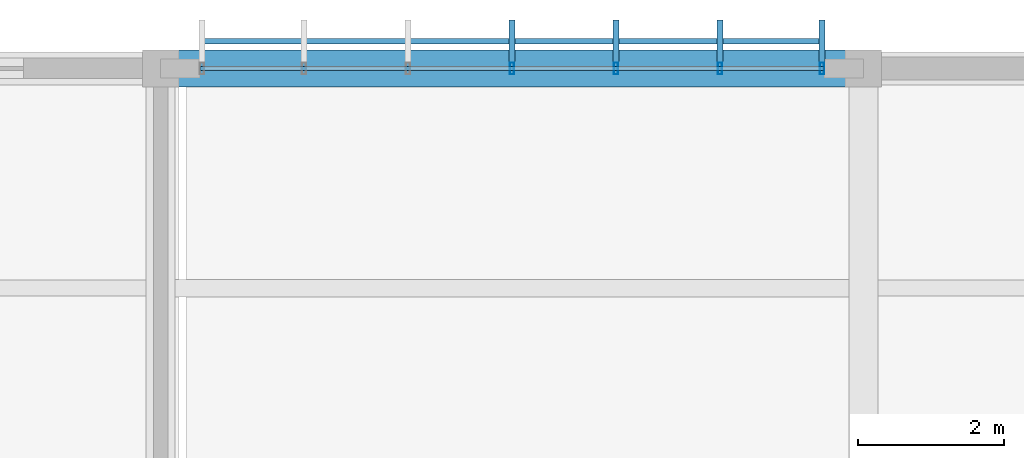
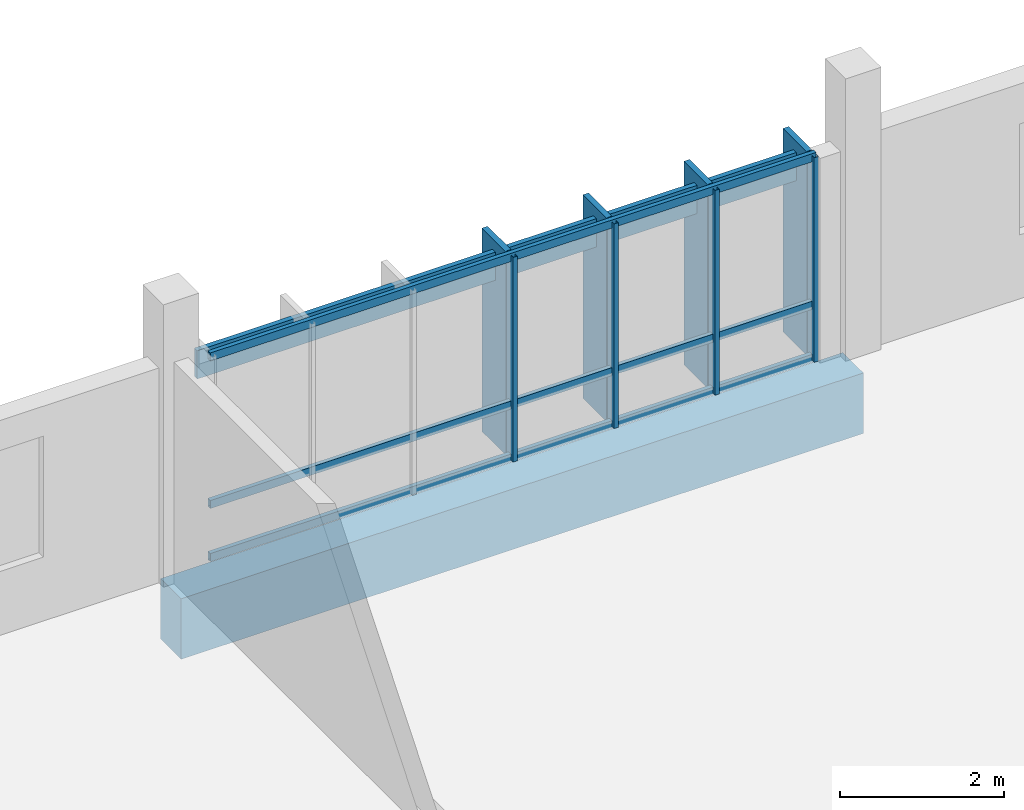
# One storey, part 75 of 107: 12 members, 1 beam, 1 element without a shape of its own.
"""IFC4 building model written with IfcOpenShell, lengths in metres."""

from ifc_helpers import new_model, si_unit, direction, frame, origin, origin_2d, place, context, subcontext, project, spatial, rectangle, hollow_rectangle, extrude, material, material_profile, profile_set, type_object, element, aggregate, save


model = new_model("IFC4")

# Units and contexts
model_context = context("Model", 3, precision=1e-05, world=origin(), true_north=direction((0.0, 1.0)))
body_context = subcontext(model_context, "Body", "Model", "MODEL_VIEW")
ifc_project = project(units=[si_unit("LENGTHUNIT", "METRE"), si_unit("AREAUNIT", "SQUARE_METRE"), si_unit("VOLUMEUNIT", "CUBIC_METRE"), si_unit("PLANEANGLEUNIT", "RADIAN"), si_unit("MASSUNIT", "GRAM", prefix="KILO")], contexts=[model_context])

# Site, building, storey
site_placement = place(None, origin())
site = spatial("IfcSite", under=ifc_project, at=site_placement, CompositionType="ELEMENT")
building_placement = place(site_placement, origin())
building = spatial("IfcBuilding", under=site, at=building_placement, Name="Chiffa Square Polytechnic", CompositionType="ELEMENT")
storey_placement = place(building_placement, frame((0.0, 0.0, 13.800048828125)))
storey = spatial("IfcBuildingStorey", under=building, at=storey_placement, Name="L03", CompositionType="ELEMENT", Elevation=13.800048828125)

# Beam
ifc_material_1 = material(Name="Concrete C40/50", Category="concrete")
ifc_material_profile_1 = material_profile(ifc_material_1, rectangle(XDim=0.5, YDim=0.89990234375, at=origin_2d()), Name="RC 500x900")
ifc_profile_set_1 = profile_set([ifc_material_profile_1], Name="Concrete C40/50")
beam_type = type_object("IfcBeamType", Name="BM-RC-500X900", PredefinedType="BEAM", material=ifc_profile_set_1)
beam_placement = place(storey_placement, frame((111.60009765625, 130.800048828125, -0.7099609375), z_axis=(1.0, 0.0, 0.0), x_axis=(0.0, 1.0, 0.0)))
element("IfcBeam", 1, at=beam_placement, inside=storey, type_object=beam_type, Name="Primary floor girder BM-V5-L03-X-1116-1308", PredefinedType="BEAM", context=body_context, shape_type="SweptSolid", body=[
    extrude(rectangle(XDim=0.5, YDim=0.89990234375, at=origin_2d()), origin(), (0.0, 0.0, 1.0), 9.599853515625),
])

# Curtain wall, members
ifc_material_2 = material(Name="Aluminium EN AW-6060 T66 and glulam shading", Category="wood")
curtain_wall_type = type_object("IfcCurtainWallType", Name="CW-VERT-450X440", PredefinedType="USERDEFINED", material=ifc_material_2)
curtain_wall_placement = place(storey_placement, origin())
curtain_wall = element("IfcCurtainWall", 2, at=curtain_wall_placement, inside=storey, type_object=curtain_wall_type, Name="Curtain wall CW-V5-L03-232", ObjectType="CURTAIN WALL", PredefinedType="USERDEFINED")
ifc_material_3 = material(Name="Aluminium EN AW-6060 T66", Category="aluminium")
ifc_material_profile_2 = material_profile(ifc_material_3, hollow_rectangle(XDim=0.06005859375, YDim=0.159912109375, WallThickness=0.00390625, at=origin_2d()), Name="ALU 60x160x4")
ifc_profile_set_2 = profile_set([ifc_material_profile_2], Name="Aluminium EN AW-6060 T66")
member_type_1 = type_object("IfcMemberType", Name="CWM-ALU-65X150", PredefinedType="MULLION", material=ifc_profile_set_2)
member_1_placement = place(storey_placement, frame((120.635009765625, 130.800048828125, 0.0), z_axis=(0.0, 0.0, 1.0), x_axis=(1.0, 0.0, 0.0)))
member_1 = element("IfcMember", 3, at=member_1_placement, type_object=member_type_1, Name="Curtain wall mullion CW-V5-L03-232-M00", PredefinedType="MULLION", context=body_context, shape_type="SweptSolid", body=[
    extrude(hollow_rectangle(XDim=0.06005859375, YDim=0.159912109375, WallThickness=0.00390625, at=origin_2d()), origin(), (0.0, 0.0, 1.0), 3.044921875),
])
member_2_placement = place(storey_placement, frame((119.239990234375, 130.800048828125, 0.0), z_axis=(0.0, 0.0, 1.0), x_axis=(1.0, 0.0, 0.0)))
member_2 = element("IfcMember", 4, at=member_2_placement, type_object=member_type_1, Name="Curtain wall mullion CW-V5-L03-232-M01", PredefinedType="MULLION", context=body_context, shape_type="SweptSolid", body=[
    extrude(hollow_rectangle(XDim=0.06005859375, YDim=0.159912109375, WallThickness=0.00390625, at=origin_2d()), origin(), (0.0, 0.0, 1.0), 3.044921875),
])
member_3_placement = place(storey_placement, frame((117.820068359375, 130.800048828125, 0.0), z_axis=(0.0, 0.0, 1.0), x_axis=(1.0, 0.0, 0.0)))
member_3 = element("IfcMember", 5, at=member_3_placement, type_object=member_type_1, Name="Curtain wall mullion CW-V5-L03-232-M02", PredefinedType="MULLION", context=body_context, shape_type="SweptSolid", body=[
    extrude(hollow_rectangle(XDim=0.06005859375, YDim=0.159912109375, WallThickness=0.00390625, at=origin_2d()), origin(), (0.0, 0.0, 1.0), 3.044921875),
])
member_4_placement = place(storey_placement, frame((116.39990234375, 130.800048828125, 0.0), z_axis=(0.0, 0.0, 1.0), x_axis=(1.0, 0.0, 0.0)))
member_4 = element("IfcMember", 6, at=member_4_placement, type_object=member_type_1, Name="Curtain wall mullion CW-V5-L03-232-M03", PredefinedType="MULLION", context=body_context, shape_type="SweptSolid", body=[
    extrude(hollow_rectangle(XDim=0.06005859375, YDim=0.159912109375, WallThickness=0.00390625, at=origin_2d()), origin(), (0.0, 0.0, 1.0), 3.044921875),
])
ifc_material_4 = material(Name="Glulam GL28h", Category="wood")
ifc_material_profile_3 = material_profile(ifc_material_4, rectangle(XDim=0.080078125, YDim=0.580078125, at=origin_2d()), Name="GL28h 80x580")
ifc_profile_set_3 = profile_set([ifc_material_profile_3], Name="Glulam GL28h")
member_type_2 = type_object("IfcMemberType", Name="CWM-GL-80X580", PredefinedType="MULLION", material=ifc_profile_set_3)
member_5_placement = place(storey_placement, frame((120.635009765625, 131.172119140625, 0.010009765625), z_axis=(0.0, 0.0, 1.0), x_axis=(-1.0, 0.0, 0.0)))
member_5 = element("IfcMember", 7, at=member_5_placement, type_object=member_type_2, Name="Exterior glulam solar fin CW-V5-L03-232-FN00", PredefinedType="MULLION", context=body_context, shape_type="SweptSolid", body=[
    extrude(rectangle(XDim=0.080078125, YDim=0.580078125, at=origin_2d()), origin(), (0.0, 0.0, 1.0), 3.02490234375),
])
member_6_placement = place(storey_placement, frame((119.239990234375, 131.172119140625, 0.010009765625), z_axis=(0.0, 0.0, 1.0), x_axis=(-1.0, 0.0, 0.0)))
member_6 = element("IfcMember", 8, at=member_6_placement, type_object=member_type_2, Name="Exterior glulam solar fin CW-V5-L03-232-FN01", PredefinedType="MULLION", context=body_context, shape_type="SweptSolid", body=[
    extrude(rectangle(XDim=0.080078125, YDim=0.580078125, at=origin_2d()), origin(), (0.0, 0.0, 1.0), 3.02490234375),
])
member_7_placement = place(storey_placement, frame((117.820068359375, 131.172119140625, 0.010009765625), z_axis=(0.0, 0.0, 1.0), x_axis=(-1.0, 0.0, 0.0)))
member_7 = element("IfcMember", 9, at=member_7_placement, type_object=member_type_2, Name="Exterior glulam solar fin CW-V5-L03-232-FN02", PredefinedType="MULLION", context=body_context, shape_type="SweptSolid", body=[
    extrude(rectangle(XDim=0.080078125, YDim=0.580078125, at=origin_2d()), origin(), (0.0, 0.0, 1.0), 3.02490234375),
])
member_8_placement = place(storey_placement, frame((116.39990234375, 131.172119140625, 0.010009765625), z_axis=(0.0, 0.0, 1.0), x_axis=(-1.0, 0.0, 0.0)))
member_8 = element("IfcMember", 10, at=member_8_placement, type_object=member_type_2, Name="Exterior glulam solar fin CW-V5-L03-232-FN03", PredefinedType="MULLION", context=body_context, shape_type="SweptSolid", body=[
    extrude(rectangle(XDim=0.080078125, YDim=0.580078125, at=origin_2d()), origin(), (0.0, 0.0, 1.0), 3.02490234375),
])
ifc_material_profile_4 = material_profile(ifc_material_3, hollow_rectangle(XDim=0.06005859375, YDim=0.1201171875, WallThickness=0.00390625, at=origin_2d()), Name="ALU 60x120x4")
ifc_profile_set_4 = profile_set([ifc_material_profile_4], Name="Aluminium EN AW-6060 T66")
member_type_3 = type_object("IfcMemberType", Name="CWT-ALU-65X120", PredefinedType="USERDEFINED", material=ifc_profile_set_4)
member_9_placement = place(storey_placement, frame((120.662109375, 130.800048828125, 0.030029296875), z_axis=(-1.0, 0.0, 0.0), x_axis=(0.0, -1.0, 0.0)))
member_9 = element("IfcMember", 11, at=member_9_placement, type_object=member_type_3, Name="Curtain wall transom CW-V5-L03-232-T01", ObjectType="TRANSOM", PredefinedType="USERDEFINED", context=body_context, shape_type="SweptSolid", body=[
    extrude(hollow_rectangle(XDim=0.06005859375, YDim=0.1201171875, WallThickness=0.00390625, at=origin_2d()), origin(), (0.0, 0.0, 1.0), 8.524169921875),
])
member_10_placement = place(storey_placement, frame((120.662109375, 130.800048828125, 0.820068359375), z_axis=(-1.0, 0.0, 0.0), x_axis=(0.0, -1.0, 0.0)))
member_10 = element("IfcMember", 12, at=member_10_placement, type_object=member_type_3, Name="Curtain wall transom CW-V5-L03-232-T02", ObjectType="TRANSOM", PredefinedType="USERDEFINED", context=body_context, shape_type="SweptSolid", body=[
    extrude(hollow_rectangle(XDim=0.06005859375, YDim=0.1201171875, WallThickness=0.00390625, at=origin_2d()), origin(), (0.0, 0.0, 1.0), 8.524169921875),
])
member_11_placement = place(storey_placement, frame((120.662109375, 130.800048828125, 3.014892578125), z_axis=(-1.0, 0.0, 0.0), x_axis=(0.0, -1.0, 0.0)))
member_11 = element("IfcMember", 13, at=member_11_placement, type_object=member_type_3, Name="Curtain wall transom CW-V5-L03-232-T03", ObjectType="TRANSOM", PredefinedType="USERDEFINED", context=body_context, shape_type="SweptSolid", body=[
    extrude(hollow_rectangle(XDim=0.06005859375, YDim=0.1201171875, WallThickness=0.00390625, at=origin_2d()), origin(), (0.0, 0.0, 1.0), 8.524169921875),
])
ifc_material_profile_5 = material_profile(ifc_material_4, rectangle(XDim=0.070068359375, YDim=0.419921875, at=origin_2d()), Name="GL28h 70x420")
ifc_profile_set_5 = profile_set([ifc_material_profile_5], Name="Glulam GL28h")
member_type_4 = type_object("IfcMemberType", Name="CWT-GL-70X420", PredefinedType="USERDEFINED", material=ifc_profile_set_5)
member_12_placement = place(storey_placement, frame((120.635009765625, 131.172119140625, 2.6650390625), z_axis=(-1.0, 0.0, 0.0), x_axis=(0.0, -1.0, 0.0)))
member_12 = element("IfcMember", 14, at=member_12_placement, type_object=member_type_4, Name="Exterior glulam brise-soleil CW-V5-L03-232-BS01", ObjectType="TRANSOM", PredefinedType="USERDEFINED", context=body_context, shape_type="SweptSolid", body=[
    extrude(rectangle(XDim=0.070068359375, YDim=0.419921875, at=origin_2d()), origin(), (0.0, 0.0, 1.0), 8.469970703125),
])
aggregate(curtain_wall, [member_1, member_5, member_2, member_6, member_3, member_7, member_4, member_8, member_9, member_10, member_11, member_12])

save(model, "model.ifc")
